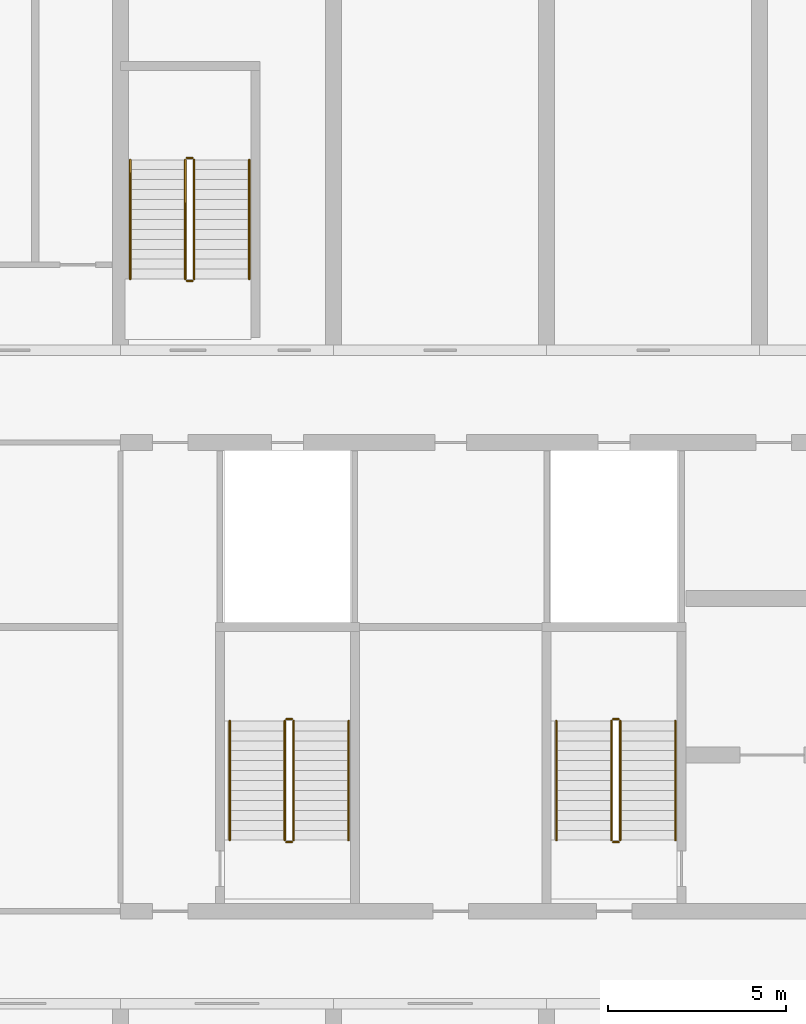
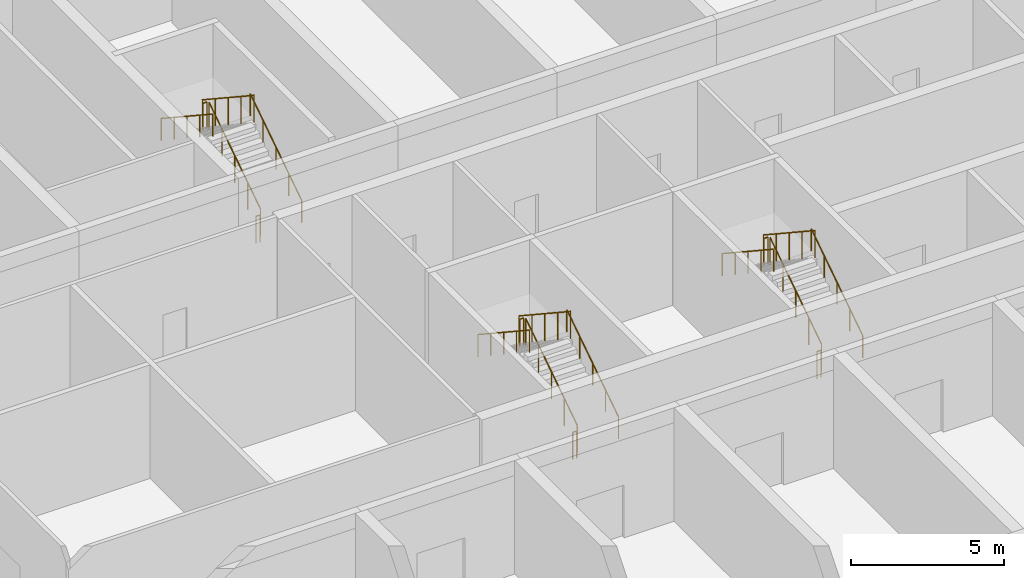
# One storey, part 18 of 20: 18 railings.
"""IFC4 building model written with IfcOpenShell, lengths in metres."""

import ifcopenshell
import ifcopenshell.guid

model = None  # the IFC model being written
_history = None  # IfcOwnerHistory: only IFC2X3 demands one
_inside = {}  # id of a spatial element -> (the spatial element, [elements in it])
_under = {}  # id of a project, library or spatial element -> (it, [spatial elements below it])
_declared = {}  # id of a project -> (the project, [libraries it declares])
_typed = {}  # id of a type object -> (the type object, [elements of that type])
_made_of = {}  # id of a material, layer set ... -> (it, [elements and type objects made of it])


def new_model(schema):
    """Start an empty IFC model of exactly this schema.

    Asked for "IFC4X3", IfcOpenShell would pick the latest addendum, in which some entities
    have other attributes; the version numbers below select the first issue.
    IFC2X3 requires an IfcOwnerHistory on every rooted entity: one is made here for all.
    """
    global model, _history
    if schema == "IFC4X3":
        model = ifcopenshell.file(schema_version=(4, 3, 0, 0))
    else:
        model = ifcopenshell.file(schema=schema)
    _inside.clear()
    _under.clear()
    _declared.clear()
    _typed.clear()
    _made_of.clear()
    _history = None
    if model.schema == "IFC2X3":
        org = make("IfcOrganization", Name="unknown")
        user = make(
            "IfcPersonAndOrganization",
            ThePerson=make("IfcPerson", FamilyName="unknown"),
            TheOrganization=org,
        )
        app = make(
            "IfcApplication",
            ApplicationDeveloper=org,
            Version="unknown",
            ApplicationFullName="unknown",
            ApplicationIdentifier="unknown",
        )
        _history = make(
            "IfcOwnerHistory",
            OwningUser=user,
            OwningApplication=app,
            ChangeAction="ADDED",
            CreationDate=0,
        )
    return model


def make(cls, **values):
    """One entity of the class cls with the attributes given. An attribute that is None is left unset."""
    return model.create_entity(
        cls, **{name: value for name, value in values.items() if value is not None}
    )


def rooted(cls, **values):
    """An entity with a GlobalId (a new one), such as an element, a storey or a relation."""
    return make(cls, GlobalId=ifcopenshell.guid.new(), OwnerHistory=_history, **values)


def si_unit(unit_type, name, prefix=None):
    """IfcSIUnit, for example si_unit("LENGTHUNIT", "METRE", prefix="MILLI")."""
    return make("IfcSIUnit", UnitType=unit_type, Prefix=prefix, Name=name)


def assignment(units):
    """IfcUnitAssignment: the units of a project."""
    return None if units is None else make("IfcUnitAssignment", Units=units)


def point(xyz):
    """IfcCartesianPoint."""
    return None if xyz is None else make("IfcCartesianPoint", Coordinates=xyz)


def direction(xyz):
    """IfcDirection."""
    return None if xyz is None else make("IfcDirection", DirectionRatios=xyz)


def frame(location, z_axis=None, x_axis=None):
    """IfcAxis2Placement3D, a coordinate frame: its origin and axes. An axis left out is left unset."""
    return make(
        "IfcAxis2Placement3D",
        Location=point(location),
        Axis=direction(z_axis),
        RefDirection=direction(x_axis),
    )


def frame_2d(location, x_axis=None):
    """IfcAxis2Placement2D, a coordinate frame in the plane: its origin and x axis."""
    return make(
        "IfcAxis2Placement2D", Location=point(location), RefDirection=direction(x_axis)
    )


def origin():
    """The frame at (0, 0, 0) with its axes left unset."""
    return frame((0.0, 0.0, 0.0))


def origin_2d():
    """The frame at (0, 0) in the plane with its x axis left unset."""
    return frame_2d((0.0, 0.0))


def place(relative_to, where):
    """IfcLocalPlacement: puts the frame where relative to a parent placement (None: the world)."""
    return make(
        "IfcLocalPlacement", PlacementRelTo=relative_to, RelativePlacement=where
    )


def context(
    kind, dimensions, precision=None, world=None, true_north=None, identifier=None
):
    """IfcGeometricRepresentationContext, for example the 3D "Model" context."""
    return make(
        "IfcGeometricRepresentationContext",
        ContextIdentifier=identifier,
        ContextType=kind,
        CoordinateSpaceDimension=dimensions,
        Precision=precision,
        WorldCoordinateSystem=world,
        TrueNorth=true_north,
    )


def subcontext(parent, identifier, kind, view, scale=None):
    """IfcGeometricRepresentationSubContext, for example "Body" below "Model"."""
    return make(
        "IfcGeometricRepresentationSubContext",
        ContextIdentifier=identifier,
        ContextType=kind,
        ParentContext=parent,
        TargetScale=scale,
        TargetView=view,
    )


def project(units=None, contexts=None):
    """IfcProject with its units and contexts."""
    return rooted(
        "IfcProject",
        Name="project",
        RepresentationContexts=contexts,
        UnitsInContext=assignment(units),
    )


def spatial(cls, under=None, at=None, **own):
    """A site, building, storey or space (cls), placed at a placement, below another one or the project."""
    s = rooted(cls, ObjectPlacement=at, **own)
    if under is not None:
        _under.setdefault(under.id(), (under, []))[1].append(s)
    return s


def profile(cls, at=None, kind="AREA", **sizes):
    """A parametric profile (cls). Its sizes go by their IFC names, for example OverallWidth=200.0."""
    return make(cls, ProfileType=kind, Position=at, **sizes)


def circle(**sizes):
    """IfcCircleProfileDef."""
    return profile("IfcCircleProfileDef", **sizes)


def extrude(swept, where, along, depth):
    """IfcExtrudedAreaSolid: the profile swept, set in the frame where, extruded along a direction by depth."""
    return make(
        "IfcExtrudedAreaSolid",
        SweptArea=swept,
        Position=where,
        ExtrudedDirection=direction(along),
        Depth=depth,
    )


def shape(context_of_items, identifier, shape_type, items):
    """IfcShapeRepresentation: the items that make up one representation, for example the "Body"."""
    return make(
        "IfcShapeRepresentation",
        ContextOfItems=context_of_items,
        RepresentationIdentifier=identifier,
        RepresentationType=shape_type,
        Items=items,
    )


def material(Name=None, Category=None):
    """IfcMaterial."""
    return make("IfcMaterial", Name=Name, Category=Category)


def made_of(thing, what):
    """Note that an element or type object is made of a material, layer set ...; save() writes the relation."""
    if what is not None:
        _made_of.setdefault(what.id(), (what, []))[1].append(thing)
    return thing


def type_object(cls, material=None, **own):
    """A type object (cls), such as IfcWallType, which elements share."""
    return made_of(rooted(cls, **own), material)


def element(
    cls,
    number,
    at=None,
    inside=None,
    cuts=None,
    type_object=None,
    material=None,
    context=None,
    identifier="Body",
    shape_type=None,
    held_by="IfcProductDefinitionShape",
    body=None,
    shapes=None,
    **own,
):
    """One element of the class cls, such as IfcWall. Its Tag is "e" and its number.

    at: its placement. inside: the storey or other place that contains it. cuts: it is an
    opening in that element (IfcRelVoidsElement). A single representation is given by context,
    identifier, shape_type and body (its items); several are given by shapes. held_by: the class
    of the entity that holds the representations. save() writes the other relations.
    """
    e = rooted(cls, Tag="e%d" % number, ObjectPlacement=at, **own)
    if body is not None:
        shapes = [shape(context, identifier, shape_type, body)]
    if shapes is not None:
        e.Representation = make(held_by, Representations=shapes)
    if inside is not None:
        _inside.setdefault(inside.id(), (inside, []))[1].append(e)
    if cuts is not None:
        rooted(
            "IfcRelVoidsElement", RelatingBuildingElement=cuts, RelatedOpeningElement=e
        )
    if type_object is not None:
        _typed.setdefault(type_object.id(), (type_object, []))[1].append(e)
    return made_of(e, material)


def aggregate(whole, parts):
    """IfcRelAggregates: a whole, such as a stair, and the parts it consists of."""
    return rooted("IfcRelAggregates", RelatingObject=whole, RelatedObjects=parts)


def save(model, path):
    """Write the relations noted so far, then the file.

    IfcRelAggregates (storeys below a building ...), IfcRelContainedInSpatialStructure (elements
    in a storey), IfcRelDefinesByType, IfcRelAssociatesMaterial and IfcRelDeclares: one each for
    every whole, place, type object, material and project.
    """
    for whole, parts in _under.values():
        aggregate(whole, parts)
    for where, things in _inside.values():
        rooted(
            "IfcRelContainedInSpatialStructure",
            RelatedElements=things,
            RelatingStructure=where,
        )
    for kind, things in _typed.values():
        rooted("IfcRelDefinesByType", RelatedObjects=things, RelatingType=kind)
    for what, things in _made_of.values():
        rooted("IfcRelAssociatesMaterial", RelatedObjects=things, RelatingMaterial=what)
    for by, libraries in _declared.values():
        rooted("IfcRelDeclares", RelatingContext=by, RelatedDefinitions=libraries)
    model.write(path)


model = new_model("IFC4")

# Units and contexts
model_context = context("Model", 3, precision=1e-05, world=origin(), true_north=direction((0.0, 1.0)))
body_context = subcontext(model_context, "Body", "Model", "MODEL_VIEW")
ifc_project = project(units=[si_unit("LENGTHUNIT", "METRE"), si_unit("AREAUNIT", "SQUARE_METRE"), si_unit("VOLUMEUNIT", "CUBIC_METRE"), si_unit("PLANEANGLEUNIT", "RADIAN"), si_unit("MASSUNIT", "GRAM", prefix="KILO")], contexts=[model_context])

# Site, building, storey
site_placement = place(None, origin())
site = spatial("IfcSite", under=ifc_project, at=site_placement, CompositionType="ELEMENT")
building_placement = place(site_placement, origin())
building = spatial("IfcBuilding", under=site, at=building_placement, Name="Poui Terraces", CompositionType="ELEMENT")
storey_placement = place(building_placement, frame((0.0, 0.0, 6.0)))
storey = spatial("IfcBuildingStorey", under=building, at=storey_placement, Name="L01", CompositionType="ELEMENT", Elevation=6.0)

# Railings
ifc_material_1 = material(Name="Galvanised steel balustrade", Category="steel")
railing_type_1 = type_object("IfcRailingType", Name="STAIR GUARD 1100", PredefinedType="GUARDRAIL", material=ifc_material_1)
railing_1_placement = place(storey_placement, frame((32.074951171875, 16.60009765625, 0.1845703125)))
element("IfcRailing", 1, at=railing_1_placement, inside=storey, type_object=railing_type_1, Name="L01 ST-CW stair guard 1", PredefinedType="GUARDRAIL", context=body_context, shape_type="SweptSolid", body=[
    extrude(circle(Radius=0.02392578125, at=origin_2d()), frame((0.0, 0.0, 1.076171875), z_axis=(0.0, 0.834858096282, 0.550465220583), x_axis=(-1.0, 0.0, 0.0)), (0.0, 0.0, 1.0), 4.0244140625),
    extrude(circle(Radius=0.02099609375, at=origin_2d()), origin(), (0.0, 0.0, 1.0), 1.052001953125),
    extrude(circle(Radius=0.02099609375, at=origin_2d()), frame((0.0, 0.83984375, 0.5537109375)), (0.0, 0.0, 1.0), 1.052001953125),
    extrude(circle(Radius=0.02099609375, at=origin_2d()), frame((0.0, 1.679931640625, 1.107666015625)), (0.0, 0.0, 1.0), 1.052001953125),
    extrude(circle(Radius=0.02099609375, at=origin_2d()), frame((0.0, 2.52001953125, 1.66162109375)), (0.0, 0.0, 1.0), 1.052001953125),
    extrude(circle(Radius=0.02099609375, at=origin_2d()), frame((0.0, 3.35986328125, 2.21533203125)), (0.0, 0.0, 1.0), 1.052001953125),
])
railing_2_placement = place(storey_placement, frame((32.02490234375, 20.010009765625, 2.39990234375)))
element("IfcRailing", 2, at=railing_2_placement, inside=storey, type_object=railing_type_1, Name="L01 ST-CW stair guard 2", PredefinedType="GUARDRAIL", context=body_context, shape_type="SweptSolid", body=[
    extrude(circle(Radius=0.02392578125, at=origin_2d()), frame((0.0, 0.0, 1.076171875), z_axis=(-1.0, 0.0, 0.0), x_axis=(0.0, -1.0, 0.0)), (0.0, 0.0, 1.0), 0.14990234375),
    extrude(circle(Radius=0.02099609375, at=origin_2d()), origin(), (0.0, 0.0, 1.0), 1.052001953125),
    extrude(circle(Radius=0.02099609375, at=origin_2d()), frame((-0.14990234375, 0.0, 0.0)), (0.0, 0.0, 1.0), 1.052001953125),
])
railing_3_placement = place(storey_placement, frame((31.824951171875, 19.9599609375, 2.584716796875)))
element("IfcRailing", 3, at=railing_3_placement, inside=storey, type_object=railing_type_1, Name="L01 ST-CW stair guard 3", PredefinedType="GUARDRAIL", context=body_context, shape_type="SweptSolid", body=[
    extrude(circle(Radius=0.02392578125, at=origin_2d()), frame((0.0, 0.0, 1.076171875), z_axis=(0.0, -0.834858096282, 0.550465220583), x_axis=(1.0, 0.0, 0.0)), (0.0, 0.0, 1.0), 4.0244140625),
    extrude(circle(Radius=0.02099609375, at=origin_2d()), origin(), (0.0, 0.0, 1.0), 1.052001953125),
    extrude(circle(Radius=0.02099609375, at=origin_2d()), frame((0.0, -0.83984375, 0.5537109375)), (0.0, 0.0, 1.0), 1.052001953125),
    extrude(circle(Radius=0.02099609375, at=origin_2d()), frame((0.0, -1.679931640625, 1.107666015625)), (0.0, 0.0, 1.0), 1.052001953125),
    extrude(circle(Radius=0.02099609375, at=origin_2d()), frame((0.0, -2.52001953125, 1.66162109375)), (0.0, 0.0, 1.0), 1.052001953125),
    extrude(circle(Radius=0.02099609375, at=origin_2d()), frame((0.0, -3.35986328125, 2.21533203125)), (0.0, 0.0, 1.0), 1.052001953125),
])
railing_4_placement = place(storey_placement, frame((32.02490234375, 16.550048828125, 0.0)))
element("IfcRailing", 4, at=railing_4_placement, inside=storey, type_object=railing_type_1, Name="L01 ST-CW stair guard 4", PredefinedType="GUARDRAIL", context=body_context, shape_type="SweptSolid", body=[
    extrude(circle(Radius=0.02392578125, at=origin_2d()), frame((0.0, 0.0, 1.076171875), z_axis=(-1.0, 0.0, 0.0), x_axis=(0.0, -1.0, 0.0)), (0.0, 0.0, 1.0), 0.14990234375),
    extrude(circle(Radius=0.02099609375, at=origin_2d()), origin(), (0.0, 0.0, 1.0), 1.052001953125),
    extrude(circle(Radius=0.02099609375, at=origin_2d()), frame((-0.14990234375, 0.0, 0.0)), (0.0, 0.0, 1.0), 1.052001953125),
])
railing_5_placement = place(storey_placement, frame((22.875, 16.60009765625, 0.1845703125)))
element("IfcRailing", 5, at=railing_5_placement, inside=storey, type_object=railing_type_1, Name="L01 ST-W stair guard 1", PredefinedType="GUARDRAIL", context=body_context, shape_type="SweptSolid", body=[
    extrude(circle(Radius=0.02392578125, at=origin_2d()), frame((0.0, 0.0, 1.076171875), z_axis=(0.0, 0.834858096282, 0.550465220583), x_axis=(-1.0, 0.0, 0.0)), (0.0, 0.0, 1.0), 4.0244140625),
    extrude(circle(Radius=0.02099609375, at=origin_2d()), origin(), (0.0, 0.0, 1.0), 1.052001953125),
    extrude(circle(Radius=0.02099609375, at=origin_2d()), frame((0.0, 0.83984375, 0.5537109375)), (0.0, 0.0, 1.0), 1.052001953125),
    extrude(circle(Radius=0.02099609375, at=origin_2d()), frame((0.0, 1.679931640625, 1.107666015625)), (0.0, 0.0, 1.0), 1.052001953125),
    extrude(circle(Radius=0.02099609375, at=origin_2d()), frame((0.0, 2.52001953125, 1.66162109375)), (0.0, 0.0, 1.0), 1.052001953125),
    extrude(circle(Radius=0.02099609375, at=origin_2d()), frame((0.0, 3.35986328125, 2.21533203125)), (0.0, 0.0, 1.0), 1.052001953125),
])
railing_6_placement = place(storey_placement, frame((22.824951171875, 20.010009765625, 2.39990234375)))
element("IfcRailing", 6, at=railing_6_placement, inside=storey, type_object=railing_type_1, Name="L01 ST-W stair guard 2", PredefinedType="GUARDRAIL", context=body_context, shape_type="SweptSolid", body=[
    extrude(circle(Radius=0.02392578125, at=origin_2d()), frame((0.0, 0.0, 1.076171875), z_axis=(-1.0, 0.0, 0.0), x_axis=(0.0, -1.0, 0.0)), (0.0, 0.0, 1.0), 0.14990234375),
    extrude(circle(Radius=0.02099609375, at=origin_2d()), origin(), (0.0, 0.0, 1.0), 1.052001953125),
    extrude(circle(Radius=0.02099609375, at=origin_2d()), frame((-0.14990234375, 0.0, 0.0)), (0.0, 0.0, 1.0), 1.052001953125),
])
railing_7_placement = place(storey_placement, frame((22.625, 19.9599609375, 2.584716796875)))
element("IfcRailing", 7, at=railing_7_placement, inside=storey, type_object=railing_type_1, Name="L01 ST-W stair guard 3", PredefinedType="GUARDRAIL", context=body_context, shape_type="SweptSolid", body=[
    extrude(circle(Radius=0.02392578125, at=origin_2d()), frame((0.0, 0.0, 1.076171875), z_axis=(0.0, -0.834858096282, 0.550465220583), x_axis=(1.0, 0.0, 0.0)), (0.0, 0.0, 1.0), 4.0244140625),
    extrude(circle(Radius=0.02099609375, at=origin_2d()), origin(), (0.0, 0.0, 1.0), 1.052001953125),
    extrude(circle(Radius=0.02099609375, at=origin_2d()), frame((0.0, -0.83984375, 0.5537109375)), (0.0, 0.0, 1.0), 1.052001953125),
    extrude(circle(Radius=0.02099609375, at=origin_2d()), frame((0.0, -1.679931640625, 1.107666015625)), (0.0, 0.0, 1.0), 1.052001953125),
    extrude(circle(Radius=0.02099609375, at=origin_2d()), frame((0.0, -2.52001953125, 1.66162109375)), (0.0, 0.0, 1.0), 1.052001953125),
    extrude(circle(Radius=0.02099609375, at=origin_2d()), frame((0.0, -3.35986328125, 2.21533203125)), (0.0, 0.0, 1.0), 1.052001953125),
])
railing_8_placement = place(storey_placement, frame((22.824951171875, 16.550048828125, 0.0)))
element("IfcRailing", 8, at=railing_8_placement, inside=storey, type_object=railing_type_1, Name="L01 ST-W stair guard 4", PredefinedType="GUARDRAIL", context=body_context, shape_type="SweptSolid", body=[
    extrude(circle(Radius=0.02392578125, at=origin_2d()), frame((0.0, 0.0, 1.076171875), z_axis=(-1.0, 0.0, 0.0), x_axis=(0.0, -1.0, 0.0)), (0.0, 0.0, 1.0), 0.14990234375),
    extrude(circle(Radius=0.02099609375, at=origin_2d()), origin(), (0.0, 0.0, 1.0), 1.052001953125),
    extrude(circle(Radius=0.02099609375, at=origin_2d()), frame((-0.14990234375, 0.0, 0.0)), (0.0, 0.0, 1.0), 1.052001953125),
])
railing_9_placement = place(storey_placement, frame((20.074951171875, 32.39990234375, 0.1845703125)))
element("IfcRailing", 9, at=railing_9_placement, inside=storey, type_object=railing_type_1, Name="L01 ST-N1 stair guard 1", PredefinedType="GUARDRAIL", context=body_context, shape_type="SweptSolid", body=[
    extrude(circle(Radius=0.02392578125, at=origin_2d()), frame((0.0, 0.0, 1.076171875), z_axis=(0.0, 0.834876476806, 0.550437342915), x_axis=(-1.0, 0.0, 0.0)), (0.0, 0.0, 1.0), 4.024658203125),
    extrude(circle(Radius=0.02099609375, at=origin_2d()), origin(), (0.0, 0.0, 1.0), 1.052001953125),
    extrude(circle(Radius=0.02099609375, at=origin_2d()), frame((0.0, 0.840087890625, 0.5537109375)), (0.0, 0.0, 1.0), 1.052001953125),
    extrude(circle(Radius=0.02099609375, at=origin_2d()), frame((0.0, 1.68017578125, 1.107666015625)), (0.0, 0.0, 1.0), 1.052001953125),
    extrude(circle(Radius=0.02099609375, at=origin_2d()), frame((0.0, 2.52001953125, 1.66162109375)), (0.0, 0.0, 1.0), 1.052001953125),
    extrude(circle(Radius=0.02099609375, at=origin_2d()), frame((0.0, 3.360107421875, 2.21533203125)), (0.0, 0.0, 1.0), 1.052001953125),
])
railing_10_placement = place(storey_placement, frame((20.02490234375, 35.81005859375, 2.39990234375)))
element("IfcRailing", 10, at=railing_10_placement, inside=storey, type_object=railing_type_1, Name="L01 ST-N1 stair guard 2", PredefinedType="GUARDRAIL", context=body_context, shape_type="SweptSolid", body=[
    extrude(circle(Radius=0.02392578125, at=origin_2d()), frame((0.0, 0.0, 1.076171875), z_axis=(-1.0, 0.0, 0.0), x_axis=(0.0, -1.0, 0.0)), (0.0, 0.0, 1.0), 0.14990234375),
    extrude(circle(Radius=0.02099609375, at=origin_2d()), origin(), (0.0, 0.0, 1.0), 1.052001953125),
    extrude(circle(Radius=0.02099609375, at=origin_2d()), frame((-0.14990234375, 0.0, 0.0)), (0.0, 0.0, 1.0), 1.052001953125),
])
railing_11_placement = place(storey_placement, frame((19.824951171875, 35.760009765625, 2.584716796875)))
element("IfcRailing", 11, at=railing_11_placement, inside=storey, type_object=railing_type_1, Name="L01 ST-N1 stair guard 3", PredefinedType="GUARDRAIL", context=body_context, shape_type="SweptSolid", body=[
    extrude(circle(Radius=0.02392578125, at=origin_2d()), frame((0.0, 0.0, 1.076171875), z_axis=(0.0, -0.834876476806, 0.550437342915), x_axis=(1.0, 0.0, 0.0)), (0.0, 0.0, 1.0), 4.024658203125),
    extrude(circle(Radius=0.02099609375, at=origin_2d()), origin(), (0.0, 0.0, 1.0), 1.052001953125),
    extrude(circle(Radius=0.02099609375, at=origin_2d()), frame((0.0, -0.840087890625, 0.5537109375)), (0.0, 0.0, 1.0), 1.052001953125),
    extrude(circle(Radius=0.02099609375, at=origin_2d()), frame((0.0, -1.68017578125, 1.107666015625)), (0.0, 0.0, 1.0), 1.052001953125),
    extrude(circle(Radius=0.02099609375, at=origin_2d()), frame((0.0, -2.52001953125, 1.66162109375)), (0.0, 0.0, 1.0), 1.052001953125),
    extrude(circle(Radius=0.02099609375, at=origin_2d()), frame((0.0, -3.360107421875, 2.21533203125)), (0.0, 0.0, 1.0), 1.052001953125),
])
railing_12_placement = place(storey_placement, frame((20.02490234375, 32.35009765625, 0.0)))
element("IfcRailing", 12, at=railing_12_placement, inside=storey, type_object=railing_type_1, Name="L01 ST-N1 stair guard 4", PredefinedType="GUARDRAIL", context=body_context, shape_type="SweptSolid", body=[
    extrude(circle(Radius=0.02392578125, at=origin_2d()), frame((0.0, 0.0, 1.076171875), z_axis=(-1.0, 0.0, 0.0), x_axis=(0.0, -1.0, 0.0)), (0.0, 0.0, 1.0), 0.14990234375),
    extrude(circle(Radius=0.02099609375, at=origin_2d()), origin(), (0.0, 0.0, 1.0), 1.052001953125),
    extrude(circle(Radius=0.02099609375, at=origin_2d()), frame((-0.14990234375, 0.0, 0.0)), (0.0, 0.0, 1.0), 1.052001953125),
])
ifc_material_2 = material(Name="Stainless steel handrail", Category="steel")
railing_type_2 = type_object("IfcRailingType", Name="STAIR HANDRAIL 900", PredefinedType="HANDRAIL", material=ifc_material_2)
railing_13_placement = place(storey_placement, frame((33.625, 16.60009765625, 0.1845703125)))
element("IfcRailing", 13, at=railing_13_placement, inside=storey, type_object=railing_type_2, Name="L01 ST-CW stair handrail 1", PredefinedType="HANDRAIL", context=body_context, shape_type="SweptSolid", body=[
    extrude(circle(Radius=0.02392578125, at=origin_2d()), frame((0.0, 0.0, 0.8759765625), z_axis=(0.0, 0.834858096282, 0.550465220583), x_axis=(-1.0, 0.0, 0.0)), (0.0, 0.0, 1.0), 4.0244140625),
    extrude(circle(Radius=0.02099609375, at=origin_2d()), origin(), (0.0, 0.0, 1.0), 0.851806640625),
    extrude(circle(Radius=0.02099609375, at=origin_2d()), frame((0.0, 0.83984375, 0.5537109375)), (0.0, 0.0, 1.0), 0.851806640625),
    extrude(circle(Radius=0.02099609375, at=origin_2d()), frame((0.0, 1.679931640625, 1.107666015625)), (0.0, 0.0, 1.0), 0.851806640625),
    extrude(circle(Radius=0.02099609375, at=origin_2d()), frame((0.0, 2.52001953125, 1.66162109375)), (0.0, 0.0, 1.0), 0.851806640625),
    extrude(circle(Radius=0.02099609375, at=origin_2d()), frame((0.0, 3.35986328125, 2.21533203125)), (0.0, 0.0, 1.0), 0.851806640625),
])
railing_14_placement = place(storey_placement, frame((30.27490234375, 19.9599609375, 2.584716796875)))
element("IfcRailing", 14, at=railing_14_placement, inside=storey, type_object=railing_type_2, Name="L01 ST-CW stair handrail 2", PredefinedType="HANDRAIL", context=body_context, shape_type="SweptSolid", body=[
    extrude(circle(Radius=0.02392578125, at=origin_2d()), frame((0.0, 0.0, 0.8759765625), z_axis=(0.0, -0.834858096282, 0.550465220583), x_axis=(1.0, 0.0, 0.0)), (0.0, 0.0, 1.0), 4.0244140625),
    extrude(circle(Radius=0.02099609375, at=origin_2d()), origin(), (0.0, 0.0, 1.0), 0.851806640625),
    extrude(circle(Radius=0.02099609375, at=origin_2d()), frame((0.0, -0.83984375, 0.5537109375)), (0.0, 0.0, 1.0), 0.851806640625),
    extrude(circle(Radius=0.02099609375, at=origin_2d()), frame((0.0, -1.679931640625, 1.107666015625)), (0.0, 0.0, 1.0), 0.851806640625),
    extrude(circle(Radius=0.02099609375, at=origin_2d()), frame((0.0, -2.52001953125, 1.66162109375)), (0.0, 0.0, 1.0), 0.851806640625),
    extrude(circle(Radius=0.02099609375, at=origin_2d()), frame((0.0, -3.35986328125, 2.21533203125)), (0.0, 0.0, 1.0), 0.851806640625),
])
railing_15_placement = place(storey_placement, frame((24.425048828125, 16.60009765625, 0.1845703125)))
element("IfcRailing", 15, at=railing_15_placement, inside=storey, type_object=railing_type_2, Name="L01 ST-W stair handrail 1", PredefinedType="HANDRAIL", context=body_context, shape_type="SweptSolid", body=[
    extrude(circle(Radius=0.02392578125, at=origin_2d()), frame((0.0, 0.0, 0.8759765625), z_axis=(0.0, 0.834858096282, 0.550465220583), x_axis=(-1.0, 0.0, 0.0)), (0.0, 0.0, 1.0), 4.0244140625),
    extrude(circle(Radius=0.02099609375, at=origin_2d()), origin(), (0.0, 0.0, 1.0), 0.851806640625),
    extrude(circle(Radius=0.02099609375, at=origin_2d()), frame((0.0, 0.83984375, 0.5537109375)), (0.0, 0.0, 1.0), 0.851806640625),
    extrude(circle(Radius=0.02099609375, at=origin_2d()), frame((0.0, 1.679931640625, 1.107666015625)), (0.0, 0.0, 1.0), 0.851806640625),
    extrude(circle(Radius=0.02099609375, at=origin_2d()), frame((0.0, 2.52001953125, 1.66162109375)), (0.0, 0.0, 1.0), 0.851806640625),
    extrude(circle(Radius=0.02099609375, at=origin_2d()), frame((0.0, 3.35986328125, 2.21533203125)), (0.0, 0.0, 1.0), 0.851806640625),
])
railing_16_placement = place(storey_placement, frame((21.074951171875, 19.9599609375, 2.584716796875)))
element("IfcRailing", 16, at=railing_16_placement, inside=storey, type_object=railing_type_2, Name="L01 ST-W stair handrail 2", PredefinedType="HANDRAIL", context=body_context, shape_type="SweptSolid", body=[
    extrude(circle(Radius=0.02392578125, at=origin_2d()), frame((0.0, 0.0, 0.8759765625), z_axis=(0.0, -0.834858096282, 0.550465220583), x_axis=(1.0, 0.0, 0.0)), (0.0, 0.0, 1.0), 4.0244140625),
    extrude(circle(Radius=0.02099609375, at=origin_2d()), origin(), (0.0, 0.0, 1.0), 0.851806640625),
    extrude(circle(Radius=0.02099609375, at=origin_2d()), frame((0.0, -0.83984375, 0.5537109375)), (0.0, 0.0, 1.0), 0.851806640625),
    extrude(circle(Radius=0.02099609375, at=origin_2d()), frame((0.0, -1.679931640625, 1.107666015625)), (0.0, 0.0, 1.0), 0.851806640625),
    extrude(circle(Radius=0.02099609375, at=origin_2d()), frame((0.0, -2.52001953125, 1.66162109375)), (0.0, 0.0, 1.0), 0.851806640625),
    extrude(circle(Radius=0.02099609375, at=origin_2d()), frame((0.0, -3.35986328125, 2.21533203125)), (0.0, 0.0, 1.0), 0.851806640625),
])
railing_17_placement = place(storey_placement, frame((21.625, 32.39990234375, 0.1845703125)))
element("IfcRailing", 17, at=railing_17_placement, inside=storey, type_object=railing_type_2, Name="L01 ST-N1 stair handrail 1", PredefinedType="HANDRAIL", context=body_context, shape_type="SweptSolid", body=[
    extrude(circle(Radius=0.02392578125, at=origin_2d()), frame((0.0, 0.0, 0.8759765625), z_axis=(0.0, 0.834876476806, 0.550437342915), x_axis=(-1.0, 0.0, 0.0)), (0.0, 0.0, 1.0), 4.024658203125),
    extrude(circle(Radius=0.02099609375, at=origin_2d()), origin(), (0.0, 0.0, 1.0), 0.851806640625),
    extrude(circle(Radius=0.02099609375, at=origin_2d()), frame((0.0, 0.840087890625, 0.5537109375)), (0.0, 0.0, 1.0), 0.851806640625),
    extrude(circle(Radius=0.02099609375, at=origin_2d()), frame((0.0, 1.68017578125, 1.107666015625)), (0.0, 0.0, 1.0), 0.851806640625),
    extrude(circle(Radius=0.02099609375, at=origin_2d()), frame((0.0, 2.52001953125, 1.66162109375)), (0.0, 0.0, 1.0), 0.851806640625),
    extrude(circle(Radius=0.02099609375, at=origin_2d()), frame((0.0, 3.360107421875, 2.21533203125)), (0.0, 0.0, 1.0), 0.851806640625),
])
railing_18_placement = place(storey_placement, frame((18.27490234375, 35.760009765625, 2.584716796875)))
element("IfcRailing", 18, at=railing_18_placement, inside=storey, type_object=railing_type_2, Name="L01 ST-N1 stair handrail 2", PredefinedType="HANDRAIL", context=body_context, shape_type="SweptSolid", body=[
    extrude(circle(Radius=0.02392578125, at=origin_2d()), frame((0.0, 0.0, 0.8759765625), z_axis=(0.0, -0.834876476806, 0.550437342915), x_axis=(1.0, 0.0, 0.0)), (0.0, 0.0, 1.0), 4.024658203125),
    extrude(circle(Radius=0.02099609375, at=origin_2d()), origin(), (0.0, 0.0, 1.0), 0.851806640625),
    extrude(circle(Radius=0.02099609375, at=origin_2d()), frame((0.0, -0.840087890625, 0.5537109375)), (0.0, 0.0, 1.0), 0.851806640625),
    extrude(circle(Radius=0.02099609375, at=origin_2d()), frame((0.0, -1.68017578125, 1.107666015625)), (0.0, 0.0, 1.0), 0.851806640625),
    extrude(circle(Radius=0.02099609375, at=origin_2d()), frame((0.0, -2.52001953125, 1.66162109375)), (0.0, 0.0, 1.0), 0.851806640625),
    extrude(circle(Radius=0.02099609375, at=origin_2d()), frame((0.0, -3.360107421875, 2.21533203125)), (0.0, 0.0, 1.0), 0.851806640625),
])

save(model, "model.ifc")
